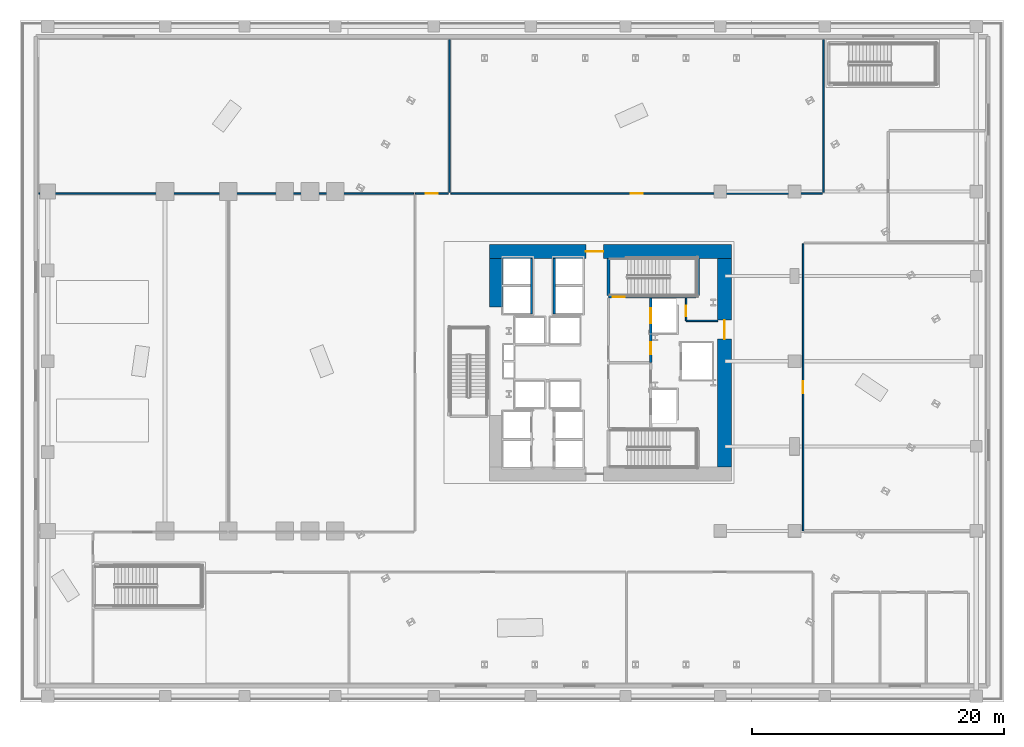
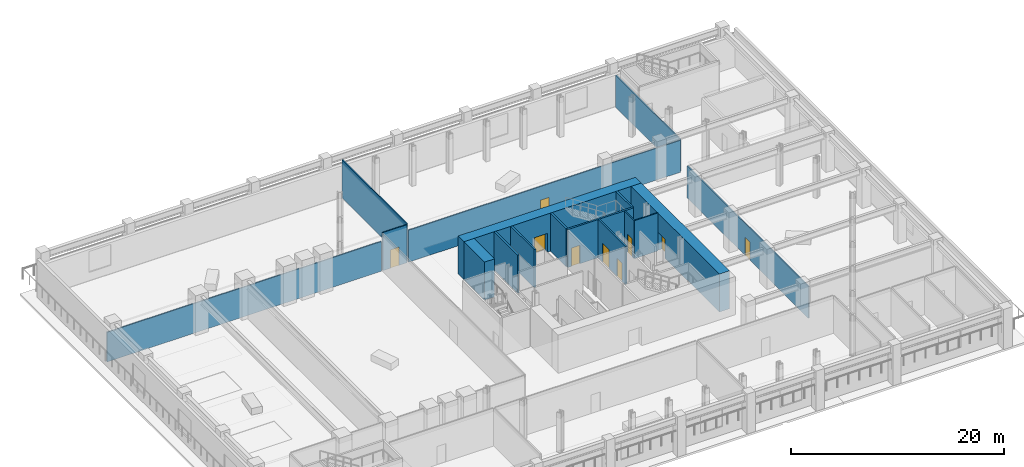
# One storey, part 5 of 18: 17 walls, 9 doors, 9 openings.
"""IFC4 building model written with IfcOpenShell, lengths in metres."""

from ifc_helpers import new_model, si_unit, direction, frame, frame_2d, origin, place, context, subcontext, project, spatial, rectangle, extrude, material, layer, layer_set, type_object, element, fill, save


model = new_model("IFC4")

# Units and contexts
model_context = context("Model", 3, precision=1e-05, world=origin(), true_north=direction((0.0, 1.0)))
body_context = subcontext(model_context, "Body", "Model", "MODEL_VIEW")
ifc_project = project(units=[si_unit("LENGTHUNIT", "METRE"), si_unit("AREAUNIT", "SQUARE_METRE"), si_unit("VOLUMEUNIT", "CUBIC_METRE"), si_unit("PLANEANGLEUNIT", "RADIAN"), si_unit("MASSUNIT", "GRAM", prefix="KILO")], contexts=[model_context])

# Site, building, storey
site_placement = place(None, origin())
site = spatial("IfcSite", under=ifc_project, at=site_placement, CompositionType="ELEMENT")
building_placement = place(site_placement, origin())
building = spatial("IfcBuilding", under=site, at=building_placement, Name="Valkerne Bourse Tower", CompositionType="ELEMENT")
storey_placement = place(building_placement, frame((0.0, 0.0, 10.199951171875)))
storey = spatial("IfcBuildingStorey", under=building, at=storey_placement, Name="L02", CompositionType="ELEMENT", Elevation=10.199951171875)

# Wall, opening, door
ifc_material_1 = material(Name="Concrete C70/85", Category="concrete")
ifc_layer_1 = layer(ifc_material_1, 1.10009765625)
ifc_layer_set_1 = layer_set([ifc_layer_1], Name="Concrete C70/85")
wall_type_1 = type_object("IfcWallType", Name="W-CORE-1100", PredefinedType="SHEAR", material=ifc_layer_set_1)
wall_1_placement = place(storey_placement, frame((37.199951171875, 35.699951171875, 0.0), z_axis=(0.0, 0.0, 1.0), x_axis=(1.0, 0.0, 0.0)))
wall_1 = element("IfcWall", 1, at=wall_1_placement, inside=storey, type_object=wall_type_1, Name="L02 Core Shear Wall NORTH", PredefinedType="SHEAR", context=body_context, shape_type="SweptSolid", body=[
    extrude(rectangle(XDim=19.199951171875, YDim=1.10009765625, at=frame_2d((9.60009765625, 0.0))), origin(), (0.0, 0.0, 1.0), 4.360107421875),
])
opening_1_placement = place(wall_1_placement, frame((7.64990234375, 0.0, 0.0)))
opening_1 = element("IfcOpeningElement", 2, at=opening_1_placement, cuts=wall_1, Name="Opening D-PL-1400", PredefinedType="OPENING", context=body_context, shape_type="SweptSolid", body=[
    extrude(rectangle(XDim=1.39990234375, YDim=2.14990234375, at=frame_2d((0.699951171875, 1.074951171875))), frame((0.0, 0.56005859375, 0.0), z_axis=(0.0, -1.0, 0.0), x_axis=(1.0, 0.0, 0.0)), (0.0, 0.0, 1.0), 1.1201171875),
])
ifc_material_2 = material(Name="Galvanised Painted Steel", Category="steel")
door_type_1 = type_object("IfcDoorType", Name="DR-PLT-1400", OperationType="DOUBLE_DOOR_SINGLE_SWING", PredefinedType="DOOR", material=ifc_material_2)
door_1_placement = place(opening_1_placement, origin())
door_1 = element("IfcDoor", 3, at=door_1_placement, inside=storey, type_object=door_type_1, Name="L02 North Passenger Lift Hall Fire Door", OperationType="DOUBLE_DOOR_SINGLE_SWING", OverallHeight=2.14990234375, OverallWidth=1.39990234375, PredefinedType="DOOR", context=body_context, shape_type="SweptSolid", body=[
    extrude(rectangle(XDim=1.39990234375, YDim=2.14990234375, at=frame_2d((0.699951171875, 1.074951171875))), frame((0.0, 0.02490234375, 0.0), z_axis=(0.0, -1.0, 0.0), x_axis=(1.0, 0.0, 0.0)), (0.0, 0.0, 1.0), 0.050048828125),
])
fill(opening_1, door_1)

wall_2_placement = place(storey_placement, frame((55.85009765625, 18.60009765625, 0.0), z_axis=(0.0, 0.0, 1.0), x_axis=(0.0, 1.0, 0.0)))
wall_2 = element("IfcWall", 4, at=wall_2_placement, inside=storey, type_object=wall_type_1, Name="L02 Core Shear Wall EAST", PredefinedType="SHEAR", context=body_context, shape_type="SweptSolid", body=[
    extrude(rectangle(XDim=16.5498046875, YDim=1.10009765625, at=frame_2d((8.27490234375, 0.0))), origin(), (0.0, 0.0, 1.0), 4.360107421875),
])
opening_2_placement = place(wall_2_placement, frame((10.14990234375, 0.0, 0.0)))
opening_2 = element("IfcOpeningElement", 5, at=opening_2_placement, cuts=wall_2, Name="Opening D-CR-1500", PredefinedType="OPENING", context=body_context, shape_type="SweptSolid", body=[
    extrude(rectangle(XDim=1.5, YDim=2.14990234375, at=frame_2d((0.75, 1.074951171875))), frame((0.0, 0.56005859375, 0.0), z_axis=(0.0, -1.0, 0.0), x_axis=(1.0, 0.0, 0.0)), (0.0, 0.0, 1.0), 1.1201171875),
])
door_type_2 = type_object("IfcDoorType", Name="DR-CORR-1500", OperationType="DOUBLE_DOOR_SINGLE_SWING", PredefinedType="DOOR", material=ifc_material_2)
door_2_placement = place(opening_2_placement, origin())
door_2 = element("IfcDoor", 6, at=door_2_placement, inside=storey, type_object=door_type_2, Name="L02 East Core Service Lobby Fire Door", OperationType="DOUBLE_DOOR_SINGLE_SWING", OverallHeight=2.14990234375, OverallWidth=1.5, PredefinedType="DOOR", context=body_context, shape_type="SweptSolid", body=[
    extrude(rectangle(XDim=1.5, YDim=2.14990234375, at=frame_2d((0.75, 1.074951171875))), frame((0.0, 0.02490234375, 0.0), z_axis=(0.0, -1.0, 0.0), x_axis=(1.0, 0.0, 0.0)), (0.0, 0.0, 1.0), 0.050048828125),
])
fill(opening_2, door_2)

# Wall
wall_3_placement = place(storey_placement, frame((37.75, 31.300048828125, 0.0), z_axis=(0.0, 0.0, 1.0), x_axis=(0.0, 1.0, 0.0)))
element("IfcWall", 7, at=wall_3_placement, inside=storey, type_object=wall_type_1, Name="L02 Core Shear Wall WEST-N", PredefinedType="SHEAR", context=body_context, shape_type="SweptSolid", body=[
    extrude(rectangle(XDim=3.849853515625, YDim=1.10009765625, at=frame_2d((1.9248046875, 0.0))), origin(), (0.0, 0.0, 1.0), 4.360107421875),
])

# Wall, opening, door
ifc_material_3 = material(Name="Gypsum Board Steel-Stud Partition", Category="steel")
ifc_layer_2 = layer(ifc_material_3, 0.117919921875)
ifc_layer_set_2 = layer_set([ifc_layer_2], Name="Gypsum Board Steel-Stud Partition")
wall_type_2 = type_object("IfcWallType", Name="W-CORR-140", PredefinedType="PARTITIONING", material=ifc_layer_set_2)
wall_4_placement = place(storey_placement, frame((52.800048828125, 30.199951171875, 0.0), z_axis=(0.0, 0.0, 1.0), x_axis=(0.0, 1.0, 0.0)))
wall_4 = element("IfcWall", 8, at=wall_4_placement, inside=storey, type_object=wall_type_2, Name="L02 Core NE Bay West Wall", PredefinedType="PARTITIONING", context=body_context, shape_type="SweptSolid", body=[
    extrude(rectangle(XDim=1.820068359375, YDim=0.117919921875, at=frame_2d((0.91015625, 0.0))), origin(), (0.0, 0.0, 1.0), 4.360107421875),
])
opening_3_placement = place(wall_4_placement, frame((0.35009765625, 0.0, 0.0)))
opening_3 = element("IfcOpeningElement", 9, at=opening_3_placement, cuts=wall_4, Name="Opening D-WC-900", PredefinedType="OPENING", context=body_context, shape_type="SweptSolid", body=[
    extrude(rectangle(XDim=0.860107421875, YDim=2.050048828125, at=frame_2d((0.43017578125, 1.02490234375))), frame((0.0, 0.06884765625, 0.0), z_axis=(0.0, -1.0, 0.0), x_axis=(1.0, 0.0, 0.0)), (0.0, 0.0, 1.0), 0.137939453125),
])
ifc_material_4 = material(Name="Architectural White Oak Timber", Category="wood")
door_type_3 = type_object("IfcDoorType", Name="DR-WC-900", OperationType="NOTDEFINED", PredefinedType="DOOR", material=ifc_material_4)
door_3_placement = place(opening_3_placement, origin())
door_3 = element("IfcDoor", 10, at=door_3_placement, inside=storey, type_object=door_type_3, Name="L02 Electrical Closet Door", OperationType="SINGLE_SWING_RIGHT", OverallHeight=2.050048828125, OverallWidth=0.860107421875, PredefinedType="DOOR", context=body_context, shape_type="SweptSolid", body=[
    extrude(rectangle(XDim=0.860107421875, YDim=2.050048828125, at=frame_2d((0.43017578125, 1.02490234375))), frame((0.0, 0.02490234375, 0.0), z_axis=(0.0, -1.0, 0.0), x_axis=(1.0, 0.0, 0.0)), (0.0, 0.0, 1.0), 0.050048828125),
])
fill(opening_3, door_3)

# Wall
wall_5_placement = place(storey_placement, frame((52.800048828125, 30.199951171875, 0.0), z_axis=(0.0, 0.0, 1.0), x_axis=(1.0, 0.0, 0.0)))
element("IfcWall", 11, at=wall_5_placement, inside=storey, type_object=wall_type_2, Name="L02 Core NE Bay South Wall", PredefinedType="PARTITIONING", context=body_context, shape_type="SweptSolid", body=[
    extrude(rectangle(XDim=2.52001953125, YDim=0.117919921875, at=frame_2d((1.260009765625, 0.0))), origin(), (0.0, 0.0, 1.0), 4.360107421875),
])

# Wall, opening, door
wall_6_placement = place(storey_placement, frame((62.080078125, 13.550048828125, 0.0), z_axis=(0.0, 0.0, 1.0), x_axis=(0.0, 1.0, 0.0)))
wall_6 = element("IfcWall", 12, at=wall_6_placement, inside=storey, type_object=wall_type_2, Name="L02 L02 East Quantitative Analytics Office Wall", PredefinedType="PARTITIONING", context=body_context, shape_type="SweptSolid", body=[
    extrude(rectangle(XDim=22.75, YDim=0.117919921875, at=frame_2d((11.375, 0.0))), origin(), (0.0, 0.0, 1.0), 3.65673828125),
])
opening_4_placement = place(wall_6_placement, frame((10.89990234375, 0.0, 0.0)))
opening_4 = element("IfcOpeningElement", 13, at=opening_4_placement, cuts=wall_6, Name="Opening D-OF-950", PredefinedType="OPENING", context=body_context, shape_type="SweptSolid", body=[
    extrude(rectangle(XDim=0.949951171875, YDim=2.10009765625, at=frame_2d((0.47509765625, 1.050048828125))), frame((0.0, 0.06884765625, 0.0), z_axis=(0.0, -1.0, 0.0), x_axis=(1.0, 0.0, 0.0)), (0.0, 0.0, 1.0), 0.137939453125),
])
door_type_4 = type_object("IfcDoorType", Name="DR-OFF-950", OperationType="NOTDEFINED", PredefinedType="DOOR", material=ifc_material_4)
door_4_placement = place(opening_4_placement, origin())
door_4 = element("IfcDoor", 14, at=door_4_placement, inside=storey, type_object=door_type_4, Name="L02 L02 East Analytics Office Door", OperationType="SINGLE_SWING_LEFT", OverallHeight=2.10009765625, OverallWidth=0.949951171875, PredefinedType="DOOR", context=body_context, shape_type="SweptSolid", body=[
    extrude(rectangle(XDim=0.949951171875, YDim=2.10009765625, at=frame_2d((0.47509765625, 1.050048828125))), frame((0.0, 0.02490234375, 0.0), z_axis=(0.0, -1.0, 0.0), x_axis=(1.0, 0.0, 0.0)), (0.0, 0.0, 1.0), 0.050048828125),
])
fill(opening_4, door_4)

# Walls
wall_7_placement = place(storey_placement, frame((63.679931640625, 40.3798828125, 0.0), z_axis=(0.0, 0.0, 1.0), x_axis=(0.0, 1.0, 0.0)))
element("IfcWall", 15, at=wall_7_placement, inside=storey, type_object=wall_type_2, Name="L02 L02 North Clearing & Margin Office Wall", PredefinedType="PARTITIONING", context=body_context, shape_type="SweptSolid", body=[
    extrude(rectangle(XDim=12.1201171875, YDim=0.117919921875, at=frame_2d((6.06005859375, 0.0))), origin(), (0.0, 0.0, 1.0), 3.65673828125),
])
wall_8_placement = place(storey_placement, frame((34.06005859375, 40.3798828125, 0.0), z_axis=(0.0, 0.0, 1.0), x_axis=(0.0, 1.0, 0.0)))
element("IfcWall", 16, at=wall_8_placement, inside=storey, type_object=wall_type_2, Name="L02 L02 North Clearing & Margin Office Wall", PredefinedType="PARTITIONING", context=body_context, shape_type="SweptSolid", body=[
    extrude(rectangle(XDim=12.1201171875, YDim=0.117919921875, at=frame_2d((6.06005859375, 0.0))), origin(), (0.0, 0.0, 1.0), 4.360107421875),
])

# Wall, opening, door
wall_9_placement = place(storey_placement, frame((34.14990234375, 40.300048828125, 0.0), z_axis=(0.0, 0.0, 1.0), x_axis=(1.0, 0.0, 0.0)))
wall_9 = element("IfcWall", 17, at=wall_9_placement, inside=storey, type_object=wall_type_2, Name="L02 L02 North Clearing & Margin Office Wall", PredefinedType="PARTITIONING", context=body_context, shape_type="SweptSolid", body=[
    extrude(rectangle(XDim=29.4501953125, YDim=0.117919921875, at=frame_2d((14.72509765625, 0.0))), origin(), (0.0, 0.0, 1.0), 3.65673828125),
])
opening_5_placement = place(wall_9_placement, frame((14.25, 0.0, 0.0)))
opening_5 = element("IfcOpeningElement", 18, at=opening_5_placement, cuts=wall_9, Name="Opening D-OF-950", PredefinedType="OPENING", context=body_context, shape_type="SweptSolid", body=[
    extrude(rectangle(XDim=0.949951171875, YDim=2.10009765625, at=frame_2d((0.47509765625, 1.050048828125))), frame((0.0, 0.06884765625, 0.0), z_axis=(0.0, -1.0, 0.0), x_axis=(1.0, 0.0, 0.0)), (0.0, 0.0, 1.0), 0.137939453125),
])
door_5_placement = place(opening_5_placement, origin())
door_5 = element("IfcDoor", 19, at=door_5_placement, inside=storey, type_object=door_type_4, Name="L02 L02 North Clearing Office Door", OperationType="SINGLE_SWING_RIGHT", OverallHeight=2.10009765625, OverallWidth=0.949951171875, PredefinedType="DOOR", context=body_context, shape_type="SweptSolid", body=[
    extrude(rectangle(XDim=0.949951171875, YDim=2.10009765625, at=frame_2d((0.47509765625, 1.050048828125))), frame((0.0, 0.02490234375, 0.0), z_axis=(0.0, -1.0, 0.0), x_axis=(1.0, 0.0, 0.0)), (0.0, 0.0, 1.0), 0.050048828125),
])
fill(opening_5, door_5)

# Wall
wall_10_placement = place(storey_placement, frame((1.5, 40.300048828125, 0.0), z_axis=(0.0, 0.0, 1.0), x_axis=(1.0, 0.0, 0.0)))
element("IfcWall", 20, at=wall_10_placement, inside=storey, type_object=wall_type_2, Name="L02 L02 North-West Derivatives Studio Office Wall", PredefinedType="PARTITIONING", context=body_context, shape_type="SweptSolid", body=[
    extrude(rectangle(XDim=29.699951171875, YDim=0.117919921875, at=frame_2d((14.85009765625, 0.0))), origin(), (0.0, 0.0, 1.0), 3.400146484375),
])

# Wall, opening, door
wall_11_placement = place(storey_placement, frame((31.35009765625, 40.300048828125, 0.0), z_axis=(0.0, 0.0, 1.0), x_axis=(1.0, 0.0, 0.0)))
wall_11 = element("IfcWall", 21, at=wall_11_placement, inside=storey, type_object=wall_type_2, Name="L02 L02 North-West Derivatives Studio Office Wall", PredefinedType="PARTITIONING", context=body_context, shape_type="SweptSolid", body=[
    extrude(rectangle(XDim=2.599853515625, YDim=0.117919921875, at=frame_2d((1.2998046875, 0.0))), origin(), (0.0, 0.0, 1.0), 4.360107421875),
])
opening_6_placement = place(wall_11_placement, frame((0.824951171875, 0.0, 0.0)))
opening_6 = element("IfcOpeningElement", 22, at=opening_6_placement, cuts=wall_11, Name="Opening D-OF-950", PredefinedType="OPENING", context=body_context, shape_type="SweptSolid", body=[
    extrude(rectangle(XDim=0.949951171875, YDim=2.10009765625, at=frame_2d((0.47509765625, 1.050048828125))), frame((0.0, 0.06884765625, 0.0), z_axis=(0.0, -1.0, 0.0), x_axis=(1.0, 0.0, 0.0)), (0.0, 0.0, 1.0), 0.137939453125),
])
door_6_placement = place(opening_6_placement, origin())
door_6 = element("IfcDoor", 23, at=door_6_placement, inside=storey, type_object=door_type_4, Name="L02 L02 NW Studio Office Door", OperationType="SINGLE_SWING_RIGHT", OverallHeight=2.10009765625, OverallWidth=0.949951171875, PredefinedType="DOOR", context=body_context, shape_type="SweptSolid", body=[
    extrude(rectangle(XDim=0.949951171875, YDim=2.10009765625, at=frame_2d((0.47509765625, 1.050048828125))), frame((0.0, 0.02490234375, 0.0), z_axis=(0.0, -1.0, 0.0), x_axis=(1.0, 0.0, 0.0)), (0.0, 0.0, 1.0), 0.050048828125),
])
fill(opening_6, door_6)

# Wall, openings, doors
ifc_material_5 = material(Name="Gypsum Fire-Rated Shaftwall", Category="gypsum")
ifc_layer_3 = layer(ifc_material_5, 0.179931640625)
ifc_layer_set_3 = layer_set([ifc_layer_3], Name="Gypsum Fire-Rated Shaftwall")
wall_type_3 = type_object("IfcWallType", Name="W-FSAE-180", PredefinedType="PARTITIONING", material=ifc_layer_set_3)
wall_12_placement = place(storey_placement, frame((50.0, 26.919921875, 0.0), z_axis=(0.0, 0.0, 1.0), x_axis=(0.0, 1.0, 0.0)))
wall_12 = element("IfcWall", 24, at=wall_12_placement, inside=storey, type_object=wall_type_3, Name="L02 FSAE-2 Lobby & Shaft Front Wall", PredefinedType="PARTITIONING", context=body_context, shape_type="SweptSolid", body=[
    extrude(rectangle(XDim=5.080078125, YDim=0.179931640625, at=frame_2d((2.5400390625, 0.0))), origin(), (0.0, 0.0, 1.0), 4.360107421875),
])
opening_7_placement = place(wall_12_placement, frame((3.080078125, 0.0, 0.0)))
opening_7 = element("IfcOpeningElement", 25, at=opening_7_placement, cuts=wall_12, Name="Opening LD-1200", PredefinedType="OPENING", context=body_context, shape_type="SweptSolid", body=[
    extrude(rectangle(XDim=1.199951171875, YDim=2.14990234375, at=frame_2d((0.60009765625, 1.074951171875))), frame((0.0, 0.099853515625, 0.0), z_axis=(0.0, -1.0, 0.0), x_axis=(1.0, 0.0, 0.0)), (0.0, 0.0, 1.0), 0.199951171875),
])
opening_8_placement = place(wall_12_placement, frame((0.6298828125, 0.0, 0.0)))
opening_8 = element("IfcOpeningElement", 26, at=opening_8_placement, cuts=wall_12, Name="Opening D-FS-950", PredefinedType="OPENING", context=body_context, shape_type="SweptSolid", body=[
    extrude(rectangle(XDim=0.949951171875, YDim=2.10009765625, at=frame_2d((0.47509765625, 1.050048828125))), frame((0.0, 0.099853515625, 0.0), z_axis=(0.0, -1.0, 0.0), x_axis=(1.0, 0.0, 0.0)), (0.0, 0.0, 1.0), 0.199951171875),
])
door_type_5 = type_object("IfcDoorType", Name="DR-FSAE-950", OperationType="NOTDEFINED", PredefinedType="DOOR", material=ifc_material_2)
door_7_placement = place(opening_8_placement, origin())
door_7 = element("IfcDoor", 27, at=door_7_placement, inside=storey, type_object=door_type_5, Name="L02 FSAE-2 Lobby Corridor Fire Door", OperationType="SINGLE_SWING_RIGHT", OverallHeight=2.10009765625, OverallWidth=0.949951171875, PredefinedType="DOOR", context=body_context, shape_type="SweptSolid", body=[
    extrude(rectangle(XDim=0.949951171875, YDim=2.10009765625, at=frame_2d((0.47509765625, 1.050048828125))), frame((0.0, 0.02490234375, 0.0), z_axis=(0.0, -1.0, 0.0), x_axis=(1.0, 0.0, 0.0)), (0.0, 0.0, 1.0), 0.050048828125),
])
fill(opening_8, door_7)
ifc_material_6 = material(Name="Stainless Steel AISI 316", Category="steel")
door_type_6 = type_object("IfcDoorType", Name="DR-LIFT-1200", OperationType="DOUBLE_DOOR_SLIDING", PredefinedType="DOOR", material=ifc_material_6)
door_8_placement = place(opening_7_placement, origin())
door_8 = element("IfcDoor", 28, at=door_8_placement, inside=storey, type_object=door_type_6, Name="L02 FSAE-2 Firefighting Lift Landing Door", OperationType="DOUBLE_DOOR_SLIDING", OverallHeight=2.14990234375, OverallWidth=1.199951171875, PredefinedType="DOOR", context=body_context, shape_type="SweptSolid", body=[
    extrude(rectangle(XDim=1.199951171875, YDim=2.14990234375, at=frame_2d((0.60009765625, 1.074951171875))), frame((0.0, 0.02490234375, 0.0), z_axis=(0.0, -1.0, 0.0), x_axis=(1.0, 0.0, 0.0)), (0.0, 0.0, 1.0), 0.050048828125),
])
fill(opening_7, door_8)

# Walls
ifc_material_7 = material(Name="CMU Blockwork Masonry 200mm", Category="masonry")
ifc_layer_4 = layer(ifc_material_7, 0.179931640625)
ifc_layer_set_4 = layer_set([ifc_layer_4], Name="CMU Blockwork Masonry 200mm")
wall_type_4 = type_object("IfcWallType", Name="W-LFT-180", PredefinedType="SOLIDWALL", material=ifc_layer_set_4)
for number, where, z_axis, x_axis, name in (
    (29, (40.550048828125, 30.75, 0.0), (0.0, 0.0, 1.0), (0.0, 1.0, 0.0), "L02 Mid-Zone West Cars Front Wall"),
    (30, (42.35009765625, 30.75, 0.0), (0.0, 0.0, 1.0), (0.0, 1.0, 0.0), "L02 Mid-Zone East Cars Front Wall"),
):
    element("IfcWall", number, at=place(storey_placement, frame(where, z_axis=z_axis, x_axis=x_axis)), inside=storey, type_object=wall_type_4, Name=name, PredefinedType="SOLIDWALL", context=body_context, shape_type="SweptSolid", body=[
        extrude(rectangle(XDim=4.39990234375, YDim=0.179931640625, at=frame_2d((2.199951171875, 0.0))), origin(), (0.0, 0.0, 1.0), 4.360107421875),
    ])

# Wall, opening, door
ifc_material_8 = material(Name="Concrete C40/50", Category="concrete")
ifc_layer_5 = layer(ifc_material_8, 0.199951171875)
ifc_layer_set_5 = layer_set([ifc_layer_5], Name="Concrete C40/50")
wall_type_5 = type_object("IfcWallType", Name="W-SHF-200", PredefinedType="SHEAR", material=ifc_layer_set_5)
wall_13_placement = place(storey_placement, frame((46.64990234375, 32.10009765625, 0.0), z_axis=(0.0, 0.0, 1.0), x_axis=(1.0, 0.0, 0.0)))
wall_13 = element("IfcWall", 31, at=wall_13_placement, inside=storey, type_object=wall_type_5, Name="L02 Exit Stair ST-2 Structural Shaft Wall South", PredefinedType="SHEAR", context=body_context, shape_type="SweptSolid", body=[
    extrude(rectangle(XDim=7.10009765625, YDim=0.199951171875, at=frame_2d((3.550048828125, 0.0))), origin(), (0.0, 0.0, 1.0), 4.360107421875),
])
opening_9_placement = place(wall_13_placement, frame((0.35009765625, 0.0, 0.0)))
opening_9 = element("IfcOpeningElement", 32, at=opening_9_placement, cuts=wall_13, Name="Opening D-ST-950", PredefinedType="OPENING", context=body_context, shape_type="SweptSolid", body=[
    extrude(rectangle(XDim=0.949951171875, YDim=2.10009765625, at=frame_2d((0.47509765625, 1.050048828125))), frame((0.0, 0.10986328125, 0.0), z_axis=(0.0, -1.0, 0.0), x_axis=(1.0, 0.0, 0.0)), (0.0, 0.0, 1.0), 0.219970703125),
])
door_type_7 = type_object("IfcDoorType", Name="DR-STAIR-950", OperationType="NOTDEFINED", PredefinedType="DOOR", material=ifc_material_2)
door_9_placement = place(opening_9_placement, origin())
door_9 = element("IfcDoor", 33, at=door_9_placement, inside=storey, type_object=door_type_7, Name="L02 Exit Stair ST-2 Door", OperationType="SINGLE_SWING_LEFT", OverallHeight=2.10009765625, OverallWidth=0.949951171875, PredefinedType="DOOR", context=body_context, shape_type="SweptSolid", body=[
    extrude(rectangle(XDim=0.949951171875, YDim=2.10009765625, at=frame_2d((0.47509765625, 1.050048828125))), frame((0.0, 0.02490234375, 0.0), z_axis=(0.0, -1.0, 0.0), x_axis=(1.0, 0.0, 0.0)), (0.0, 0.0, 1.0), 0.050048828125),
])
fill(opening_9, door_9)

# Walls
for number, where, z_axis, x_axis, name in (
    (34, (46.64990234375, 32.199951171875, 0.0), (0.0, 0.0, 1.0), (0.0, 1.0, 0.0), "L02 Exit Stair ST-2 Structural Shaft Wall West"),
    (35, (53.75, 32.199951171875, 0.0), (0.0, 0.0, 1.0), (0.0, 1.0, 0.0), "L02 Exit Stair ST-2 Structural Shaft Wall East"),
):
    element("IfcWall", number, at=place(storey_placement, frame(where, z_axis=z_axis, x_axis=x_axis)), inside=storey, type_object=wall_type_5, Name=name, PredefinedType="SHEAR", context=body_context, shape_type="SweptSolid", body=[
        extrude(rectangle(XDim=2.949951171875, YDim=0.199951171875, at=frame_2d((1.47509765625, 0.0))), origin(), (0.0, 0.0, 1.0), 4.360107421875),
    ])

save(model, "model.ifc")
